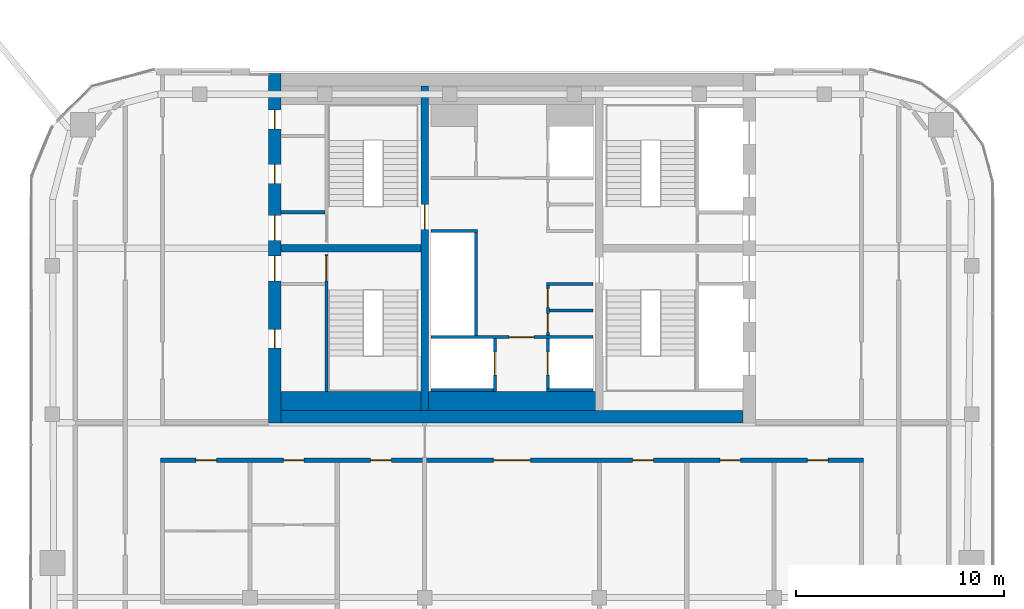
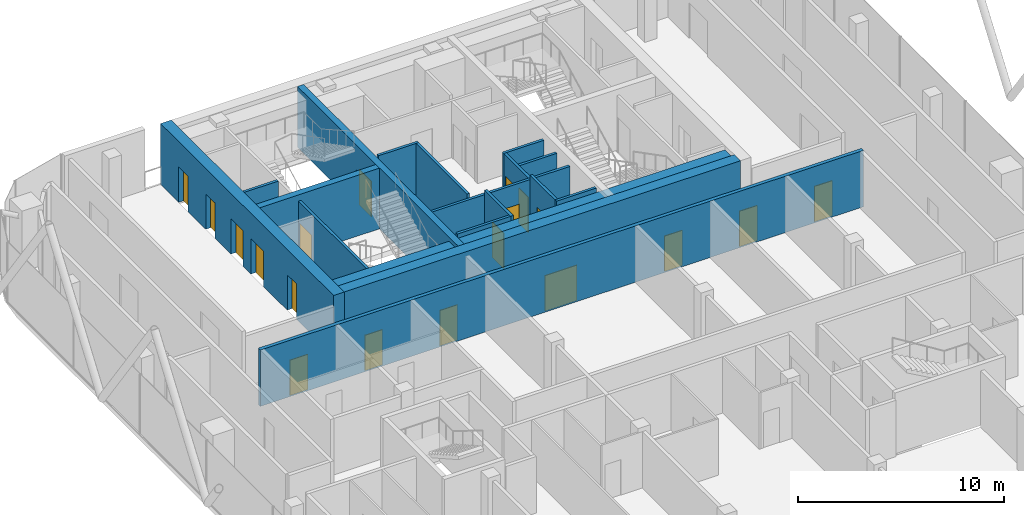
# One storey, part 23 of 27: 19 doors, 18 walls, 19 openings.
"""IFC4 building model written with IfcOpenShell, lengths in metres."""

from ifc_helpers import new_model, si_unit, direction, frame, frame_2d, origin, place, context, subcontext, project, spatial, rectangle, extrude, material, layer, layer_set, type_object, element, fill, save


model = new_model("IFC4")

# Units and contexts
model_context = context("Model", 3, precision=1e-05, world=origin(), true_north=direction((0.0, 1.0)))
body_context = subcontext(model_context, "Body", "Model", "MODEL_VIEW")
ifc_project = project(units=[si_unit("LENGTHUNIT", "METRE"), si_unit("AREAUNIT", "SQUARE_METRE"), si_unit("VOLUMEUNIT", "CUBIC_METRE"), si_unit("PLANEANGLEUNIT", "RADIAN"), si_unit("MASSUNIT", "GRAM", prefix="KILO")], contexts=[model_context])

# Site, building, storey
site_placement = place(None, origin())
site = spatial("IfcSite", under=ifc_project, at=site_placement, CompositionType="ELEMENT")
building_placement = place(site_placement, origin())
building = spatial("IfcBuilding", under=site, at=building_placement, Name="Marenta Gate Hotel Tower", CompositionType="ELEMENT")
storey_placement = place(building_placement, frame((0.0, 0.0, 270.5)))
storey = spatial("IfcBuildingStorey", under=building, at=storey_placement, Name="L62", CompositionType="ELEMENT", Elevation=270.5)

# Wall
ifc_material_1 = material(Name="Concrete C40", Category="concrete")
ifc_layer_1 = layer(ifc_material_1, 0.89990234375)
ifc_layer_set_1 = layer_set([ifc_layer_1], Name="Concrete C40")
wall_type_1 = type_object("IfcWallType", Name="Core lining wall 900 REI 180", PredefinedType="PARTITIONING", material=ifc_layer_set_1)
wall_1_placement = place(storey_placement, frame((-11.10009765625, 1.050048828125, 0.0), z_axis=(0.0, 0.0, 1.0), x_axis=(1.0, 0.0, 0.0)))
element("IfcWall", 1, at=wall_1_placement, inside=storey, type_object=wall_type_1, Name="L62-CP-LN-S", PredefinedType="PARTITIONING", context=body_context, shape_type="SweptSolid", body=[
    extrude(rectangle(XDim=22.2001953125, YDim=0.89990234375, at=frame_2d((11.10009765625, 0.0))), origin(), (0.0, 0.0, 1.0), 3.340087890625),
])

# Wall, opening, door
ifc_material_2 = material(Name="Concrete blockwork", Category="masonry")
ifc_layer_2 = layer(ifc_material_2, 0.14990234375)
ifc_layer_set_2 = layer_set([ifc_layer_2], Name="Concrete blockwork")
wall_type_2 = type_object("IfcWallType", Name="Core lobby partition 150 REI 180", PredefinedType="PARTITIONING", material=ifc_layer_set_2)
wall_2_placement = place(storey_placement, frame((-3.89990234375, 4.125, 0.0), z_axis=(0.0, 0.0, 1.0), x_axis=(1.0, 0.0, 0.0)))
wall_2 = element("IfcWall", 2, at=wall_2_placement, inside=storey, type_object=wall_type_2, Name="L62-CP-CW-S", PredefinedType="PARTITIONING", context=body_context, shape_type="SweptSolid", body=[
    extrude(rectangle(XDim=7.7998046875, YDim=0.14990234375, at=frame_2d((3.89990234375, 0.0))), origin(), (0.0, 0.0, 1.0), 3.340087890625),
])
opening_1_placement = place(wall_2_placement, frame((3.75, 0.0, 0.0)))
opening_1 = element("IfcOpeningElement", 3, at=opening_1_placement, cuts=wall_2, Name="Opening FD-FFS", PredefinedType="OPENING", context=body_context, shape_type="SweptSolid", body=[
    extrude(rectangle(XDim=1.199951171875, YDim=2.10009765625, at=frame_2d((0.60009765625, 1.050048828125))), frame((0.0, 0.074951171875, 0.0), z_axis=(0.0, -1.0, 0.0), x_axis=(1.0, 0.0, 0.0)), (0.0, 0.0, 1.0), 0.14990234375),
])
ifc_material_3 = material(Name="Steel", Category="steel")
door_type_1 = type_object("IfcDoorType", Name="Core lobby door 1200x2100 FD60", OperationType="SINGLE_SWING_LEFT", PredefinedType="DOOR", material=ifc_material_3)
door_1_placement = place(opening_1_placement, origin())
door_1 = element("IfcDoor", 4, at=door_1_placement, inside=storey, type_object=door_type_1, Name="FD-FFS", OperationType="SINGLE_SWING_LEFT", OverallHeight=2.10009765625, OverallWidth=1.199951171875, PredefinedType="DOOR", context=body_context, shape_type="SweptSolid", body=[
    extrude(rectangle(XDim=1.199951171875, YDim=2.10009765625, at=frame_2d((0.60009765625, 1.050048828125))), frame((0.0, 0.02490234375, 0.0), z_axis=(0.0, -1.0, 0.0), x_axis=(1.0, 0.0, 0.0)), (0.0, 0.0, 1.0), 0.050048828125),
])
fill(opening_1, door_1)

# Walls
ifc_material_4 = material(Name="Concrete blockwork", Category="masonry")
ifc_layer_3 = layer(ifc_material_4, 0.14990234375)
ifc_layer_set_3 = layer_set([ifc_layer_3], Name="Concrete blockwork")
wall_type_3 = type_object("IfcWallType", Name="Core room partition 150 REI 180", PredefinedType="PARTITIONING", material=ifc_layer_set_3)
wall_3_placement = place(storey_placement, frame((-11.10009765625, 10.125, 0.0), z_axis=(0.0, 0.0, 1.0), x_axis=(1.0, 0.0, 0.0)))
element("IfcWall", 5, at=wall_3_placement, inside=storey, type_object=wall_type_3, Name="L62-CP-SW-WN-2", PredefinedType="PARTITIONING", context=body_context, shape_type="SweptSolid", body=[
    extrude(rectangle(XDim=2.10009765625, YDim=0.14990234375, at=frame_2d((1.050048828125, 0.0))), origin(), (0.0, 0.0, 1.0), 3.340087890625),
])
wall_4_placement = place(storey_placement, frame((1.64990234375, 6.675048828125, 0.0), z_axis=(0.0, 0.0, 1.0), x_axis=(1.0, 0.0, 0.0)))
element("IfcWall", 6, at=wall_4_placement, inside=storey, type_object=wall_type_3, Name="L62-CP-CE-sep1", PredefinedType="PARTITIONING", context=body_context, shape_type="SweptSolid", body=[
    extrude(rectangle(XDim=2.25, YDim=0.14990234375, at=frame_2d((1.125, 0.0))), origin(), (0.0, 0.0, 1.0), 3.340087890625),
])

# Wall, openings, doors
wall_5_placement = place(storey_placement, frame((1.72509765625, 4.199951171875, 0.0), z_axis=(0.0, 0.0, 1.0), x_axis=(0.0, 1.0, 0.0)))
wall_5 = element("IfcWall", 7, at=wall_5_placement, inside=storey, type_object=wall_type_3, Name="L62-CP-CE-front-1", PredefinedType="PARTITIONING", context=body_context, shape_type="SweptSolid", body=[
    extrude(rectangle(XDim=2.400146484375, YDim=0.14990234375, at=frame_2d((1.2001953125, 0.0))), origin(), (0.0, 0.0, 1.0), 3.340087890625),
])
opening_2_placement = place(wall_5_placement, frame((0.14990234375, 0.0, 0.0)))
opening_2 = element("IfcOpeningElement", 8, at=opening_2_placement, cuts=wall_5, Name="Opening RD-CE-1a", PredefinedType="OPENING", context=body_context, shape_type="SweptSolid", body=[
    extrude(rectangle(XDim=0.89990234375, YDim=2.10009765625, at=frame_2d((0.449951171875, 1.050048828125))), frame((0.0, 0.074951171875, 0.0), z_axis=(0.0, -1.0, 0.0), x_axis=(1.0, 0.0, 0.0)), (0.0, 0.0, 1.0), 0.14990234375),
])
opening_3_placement = place(wall_5_placement, frame((1.35009765625, 0.0, 0.0)))
opening_3 = element("IfcOpeningElement", 9, at=opening_3_placement, cuts=wall_5, Name="Opening RD-CE-1b-B", PredefinedType="OPENING", context=body_context, shape_type="SweptSolid", body=[
    extrude(rectangle(XDim=0.89990234375, YDim=2.10009765625, at=frame_2d((0.449951171875, 1.050048828125))), frame((0.0, 0.074951171875, 0.0), z_axis=(0.0, -1.0, 0.0), x_axis=(1.0, 0.0, 0.0)), (0.0, 0.0, 1.0), 0.14990234375),
])
ifc_material_5 = material(Name="Steel", Category="steel")
door_type_2 = type_object("IfcDoorType", Name="Core service room door 900x2100 FD30S", OperationType="SINGLE_SWING_LEFT", PredefinedType="DOOR", material=ifc_material_5)
door_2_placement = place(opening_2_placement, origin())
door_2 = element("IfcDoor", 10, at=door_2_placement, inside=storey, type_object=door_type_2, Name="RD-CE-1a", OperationType="SINGLE_SWING_LEFT", OverallHeight=2.10009765625, OverallWidth=0.89990234375, PredefinedType="DOOR", context=body_context, shape_type="SweptSolid", body=[
    extrude(rectangle(XDim=0.89990234375, YDim=2.10009765625, at=frame_2d((0.449951171875, 1.050048828125))), frame((0.0, 0.02490234375, 0.0), z_axis=(0.0, -1.0, 0.0), x_axis=(1.0, 0.0, 0.0)), (0.0, 0.0, 1.0), 0.050048828125),
])
fill(opening_2, door_2)
door_3_placement = place(opening_3_placement, origin())
door_3 = element("IfcDoor", 11, at=door_3_placement, inside=storey, type_object=door_type_2, Name="RD-CE-1b-B", OperationType="SINGLE_SWING_LEFT", OverallHeight=2.10009765625, OverallWidth=0.89990234375, PredefinedType="DOOR", context=body_context, shape_type="SweptSolid", body=[
    extrude(rectangle(XDim=0.89990234375, YDim=2.10009765625, at=frame_2d((0.449951171875, 1.050048828125))), frame((0.0, 0.02490234375, 0.0), z_axis=(0.0, -1.0, 0.0), x_axis=(1.0, 0.0, 0.0)), (0.0, 0.0, 1.0), 0.050048828125),
])
fill(opening_3, door_3)

# Wall
wall_6_placement = place(storey_placement, frame((1.800048828125, 5.39990234375, 0.0), z_axis=(0.0, 0.0, 1.0), x_axis=(1.0, 0.0, 0.0)))
element("IfcWall", 12, at=wall_6_placement, inside=storey, type_object=wall_type_3, Name="L62-CP-CE-RW-1", PredefinedType="PARTITIONING", context=body_context, shape_type="SweptSolid", body=[
    extrude(rectangle(XDim=2.099853515625, YDim=0.14990234375, at=frame_2d((1.0498046875, 0.0))), origin(), (0.0, 0.0, 1.0), 3.340087890625),
])

# Wall, opening, door
ifc_material_6 = material(Name="Concrete C40", Category="concrete")
ifc_layer_4 = layer(ifc_material_6, 0.14990234375)
ifc_layer_set_4 = layer_set([ifc_layer_4], Name="Concrete C40")
wall_type_4 = type_object("IfcWallType", Name="Core shaft wall 150 REI 180", PredefinedType="SHEAR", material=ifc_layer_set_4)
wall_7_placement = place(storey_placement, frame((-0.824951171875, 1.5, 0.0), z_axis=(0.0, 0.0, 1.0), x_axis=(0.0, 1.0, 0.0)))
wall_7 = element("IfcWall", 13, at=wall_7_placement, inside=storey, type_object=wall_type_4, Name="L62-SHF-CW-W-ff", PredefinedType="SHEAR", context=body_context, shape_type="SweptSolid", body=[
    extrude(rectangle(XDim=2.550048828125, YDim=0.14990234375, at=frame_2d((1.27490234375, 0.0))), origin(), (0.0, 0.0, 1.0), 3.60009765625),
])
opening_4_placement = place(wall_7_placement, frame((0.800048828125, 0.0, 0.0)))
opening_4 = element("IfcOpeningElement", 14, at=opening_4_placement, cuts=wall_7, Name="Opening LD-FF1", PredefinedType="OPENING", context=body_context, shape_type="SweptSolid", body=[
    extrude(rectangle(XDim=1.10009765625, YDim=2.10009765625, at=frame_2d((0.550048828125, 1.050048828125))), frame((0.0, 0.074951171875, 0.0), z_axis=(0.0, -1.0, 0.0), x_axis=(1.0, 0.0, 0.0)), (0.0, 0.0, 1.0), 0.14990234375),
])
ifc_material_7 = material(Name="Steel", Category="steel")
door_type_3 = type_object("IfcDoorType", Name="Core lift landing door 1100x2100 E 60", OperationType="SLIDING_TO_LEFT", PredefinedType="DOOR", material=ifc_material_7)
door_4_placement = place(opening_4_placement, origin())
door_4 = element("IfcDoor", 15, at=door_4_placement, inside=storey, type_object=door_type_3, Name="LD-FF1", OperationType="SLIDING_TO_LEFT", OverallHeight=2.10009765625, OverallWidth=1.10009765625, PredefinedType="DOOR", context=body_context, shape_type="SweptSolid", body=[
    extrude(rectangle(XDim=1.10009765625, YDim=2.10009765625, at=frame_2d((0.550048828125, 1.050048828125))), frame((0.0, 0.02490234375, 0.0), z_axis=(0.0, -1.0, 0.0), x_axis=(1.0, 0.0, 0.0)), (0.0, 0.0, 1.0), 0.050048828125),
])
fill(opening_4, door_4)

# Walls
wall_8_placement = place(storey_placement, frame((-3.89990234375, 1.574951171875, 0.0), z_axis=(0.0, 0.0, 1.0), x_axis=(1.0, 0.0, 0.0)))
element("IfcWall", 16, at=wall_8_placement, inside=storey, type_object=wall_type_4, Name="L62-SHF-CW-W-ffs", PredefinedType="SHEAR", context=body_context, shape_type="SweptSolid", body=[
    extrude(rectangle(XDim=3.0, YDim=0.14990234375, at=frame_2d((1.5, 0.0))), origin(), (0.0, 0.0, 1.0), 3.60009765625),
])
wall_9_placement = place(storey_placement, frame((-1.72509765625, 4.199951171875, 0.0), z_axis=(0.0, 0.0, 1.0), x_axis=(0.0, 1.0, 0.0)))
element("IfcWall", 17, at=wall_9_placement, inside=storey, type_object=wall_type_4, Name="L62-SHF-CW-W-front", PredefinedType="SHEAR", context=body_context, shape_type="SweptSolid", body=[
    extrude(rectangle(XDim=4.949951171875, YDim=0.14990234375, at=frame_2d((2.47509765625, 0.0))), origin(), (0.0, 0.0, 1.0), 3.60009765625),
])
wall_10_placement = place(storey_placement, frame((-3.89990234375, 9.22509765625, 0.0), z_axis=(0.0, 0.0, 1.0), x_axis=(1.0, 0.0, 0.0)))
element("IfcWall", 18, at=wall_10_placement, inside=storey, type_object=wall_type_4, Name="L62-SHF-CW-W-sep", PredefinedType="SHEAR", context=body_context, shape_type="SweptSolid", body=[
    extrude(rectangle(XDim=2.25, YDim=0.14990234375, at=frame_2d((1.125, 0.0))), origin(), (0.0, 0.0, 1.0), 3.60009765625),
])

# Wall, opening, door
wall_11_placement = place(storey_placement, frame((1.72509765625, 1.64990234375, 0.0), z_axis=(0.0, 0.0, 1.0), x_axis=(0.0, 1.0, 0.0)))
wall_11 = element("IfcWall", 19, at=wall_11_placement, inside=storey, type_object=wall_type_4, Name="L62-SHF-CE-S-ls", PredefinedType="SHEAR", context=body_context, shape_type="SweptSolid", body=[
    extrude(rectangle(XDim=2.400146484375, YDim=0.14990234375, at=frame_2d((1.2001953125, 0.0))), origin(), (0.0, 0.0, 1.0), 3.60009765625),
])
opening_5_placement = place(wall_11_placement, frame((0.64990234375, 0.0, 0.0)))
opening_5 = element("IfcOpeningElement", 20, at=opening_5_placement, cuts=wall_11, Name="Opening LD-SV1", PredefinedType="OPENING", context=body_context, shape_type="SweptSolid", body=[
    extrude(rectangle(XDim=1.10009765625, YDim=2.10009765625, at=frame_2d((0.550048828125, 1.050048828125))), frame((0.0, 0.074951171875, 0.0), z_axis=(0.0, -1.0, 0.0), x_axis=(1.0, 0.0, 0.0)), (0.0, 0.0, 1.0), 0.14990234375),
])
door_5_placement = place(opening_5_placement, origin())
door_5 = element("IfcDoor", 21, at=door_5_placement, inside=storey, type_object=door_type_3, Name="LD-SV1", OperationType="SLIDING_TO_LEFT", OverallHeight=2.10009765625, OverallWidth=1.10009765625, PredefinedType="DOOR", context=body_context, shape_type="SweptSolid", body=[
    extrude(rectangle(XDim=1.10009765625, YDim=2.10009765625, at=frame_2d((0.550048828125, 1.050048828125))), frame((0.0, 0.02490234375, 0.0), z_axis=(0.0, -1.0, 0.0), x_axis=(1.0, 0.0, 0.0)), (0.0, 0.0, 1.0), 0.050048828125),
])
fill(opening_5, door_5)

# Wall
wall_12_placement = place(storey_placement, frame((1.64990234375, 1.574951171875, 0.0), z_axis=(0.0, 0.0, 1.0), x_axis=(1.0, 0.0, 0.0)))
element("IfcWall", 22, at=wall_12_placement, inside=storey, type_object=wall_type_4, Name="L62-SHF-CE-S-bot", PredefinedType="SHEAR", context=body_context, shape_type="SweptSolid", body=[
    extrude(rectangle(XDim=2.25, YDim=0.14990234375, at=frame_2d((1.125, 0.0))), origin(), (0.0, 0.0, 1.0), 3.60009765625),
])

# Wall, opening, door
ifc_material_8 = material(Name="Concrete C40", Category="concrete")
ifc_layer_5 = layer(ifc_material_8, 0.14990234375)
ifc_layer_set_5 = layer_set([ifc_layer_5], Name="Concrete C40")
wall_type_5 = type_object("IfcWallType", Name="Core stair enclosure wall 150 REI 180", PredefinedType="SHEAR", material=ifc_layer_set_5)
wall_13_placement = place(storey_placement, frame((-8.925048828125, 1.5, 0.0), z_axis=(0.0, 0.0, 1.0), x_axis=(0.0, 1.0, 0.0)))
wall_13 = element("IfcWall", 23, at=wall_13_placement, inside=storey, type_object=wall_type_5, Name="L62-SHF-SW-WS-3", PredefinedType="SHEAR", context=body_context, shape_type="SweptSolid", body=[
    extrude(rectangle(XDim=6.60009765625, YDim=0.14990234375, at=frame_2d((3.300048828125, 0.0))), origin(), (0.0, 0.0, 1.0), 3.340087890625),
])
opening_6_placement = place(wall_13_placement, frame((5.324951171875, 0.0, 0.0)))
opening_6 = element("IfcOpeningElement", 24, at=opening_6_placement, cuts=wall_13, Name="Opening SD-WS", PredefinedType="OPENING", context=body_context, shape_type="SweptSolid", body=[
    extrude(rectangle(XDim=1.199951171875, YDim=2.10009765625, at=frame_2d((0.60009765625, 1.050048828125))), frame((0.0, 0.074951171875, 0.0), z_axis=(0.0, -1.0, 0.0), x_axis=(1.0, 0.0, 0.0)), (0.0, 0.0, 1.0), 0.14990234375),
])
ifc_material_9 = material(Name="Steel", Category="steel")
door_type_4 = type_object("IfcDoorType", Name="Core stair door 1200x2100 FD60", OperationType="SINGLE_SWING_LEFT", PredefinedType="DOOR", material=ifc_material_9)
door_6_placement = place(opening_6_placement, origin())
door_6 = element("IfcDoor", 25, at=door_6_placement, inside=storey, type_object=door_type_4, Name="SD-WS", OperationType="SINGLE_SWING_LEFT", OverallHeight=2.10009765625, OverallWidth=1.199951171875, PredefinedType="DOOR", context=body_context, shape_type="SweptSolid", body=[
    extrude(rectangle(XDim=1.199951171875, YDim=2.10009765625, at=frame_2d((0.60009765625, 1.050048828125))), frame((0.0, 0.02490234375, 0.0), z_axis=(0.0, -1.0, 0.0), x_axis=(1.0, 0.0, 0.0)), (0.0, 0.0, 1.0), 0.050048828125),
])
fill(opening_6, door_6)

# Wall, openings, doors
ifc_material_10 = material(Name="Concrete C50", Category="concrete")
ifc_layer_6 = layer(ifc_material_10, 0.60009765625)
ifc_layer_set_6 = layer_set([ifc_layer_6], Name="Concrete C50")
wall_type_6 = type_object("IfcWallType", Name="Core wall 600 C50", PredefinedType="SHEAR", material=ifc_layer_set_6)
wall_14_placement = place(storey_placement, frame((-11.39990234375, 0.0, 0.0), z_axis=(0.0, 0.0, 1.0), x_axis=(0.0, 1.0, 0.0)))
wall_14 = element("IfcWall", 26, at=wall_14_placement, inside=storey, type_object=wall_type_6, Name="L62-CORE-W", PredefinedType="SHEAR", context=body_context, shape_type="SweptSolid", body=[
    extrude(rectangle(XDim=16.800048828125, YDim=0.60009765625, at=frame_2d((8.39990234375, 0.0))), origin(), (0.0, 0.0, 1.0), 3.60009765625),
])
opening_7_placement = place(wall_14_placement, frame((3.60009765625, 0.0, 0.0)))
opening_7 = element("IfcOpeningElement", 27, at=opening_7_placement, cuts=wall_14, Name="Opening RD-WS-1", PredefinedType="OPENING", context=body_context, shape_type="SweptSolid", body=[
    extrude(rectangle(XDim=0.89990234375, YDim=2.10009765625, at=frame_2d((0.449951171875, 1.050048828125))), frame((0.0, 0.300048828125, 0.0), z_axis=(0.0, -1.0, 0.0), x_axis=(1.0, 0.0, 0.0)), (0.0, 0.0, 1.0), 0.60009765625),
])
opening_8_placement = place(wall_14_placement, frame((6.824951171875, 0.0, 0.0)))
opening_8 = element("IfcOpeningElement", 28, at=opening_8_placement, cuts=wall_14, Name="Opening PD-WS", PredefinedType="OPENING", context=body_context, shape_type="SweptSolid", body=[
    extrude(rectangle(XDim=1.199951171875, YDim=2.10009765625, at=frame_2d((0.60009765625, 1.050048828125))), frame((0.0, 0.300048828125, 0.0), z_axis=(0.0, -1.0, 0.0), x_axis=(1.0, 0.0, 0.0)), (0.0, 0.0, 1.0), 0.60009765625),
])
opening_9_placement = place(wall_14_placement, frame((14.137451171875, 0.0, 0.0)))
opening_9 = element("IfcOpeningElement", 29, at=opening_9_placement, cuts=wall_14, Name="Opening RD-WN-1", PredefinedType="OPENING", context=body_context, shape_type="SweptSolid", body=[
    extrude(rectangle(XDim=0.89990234375, YDim=2.10009765625, at=frame_2d((0.449951171875, 1.050048828125))), frame((0.0, 0.300048828125, 0.0), z_axis=(0.0, -1.0, 0.0), x_axis=(1.0, 0.0, 0.0)), (0.0, 0.0, 1.0), 0.60009765625),
])
opening_10_placement = place(wall_14_placement, frame((11.512451171875, 0.0, 0.0)))
opening_10 = element("IfcOpeningElement", 30, at=opening_10_placement, cuts=wall_14, Name="Opening RD-WN-2", PredefinedType="OPENING", context=body_context, shape_type="SweptSolid", body=[
    extrude(rectangle(XDim=0.89990234375, YDim=2.10009765625, at=frame_2d((0.449951171875, 1.050048828125))), frame((0.0, 0.300048828125, 0.0), z_axis=(0.0, -1.0, 0.0), x_axis=(1.0, 0.0, 0.0)), (0.0, 0.0, 1.0), 0.60009765625),
])
opening_11_placement = place(wall_14_placement, frame((8.77490234375, 0.0, 0.0)))
opening_11 = element("IfcOpeningElement", 31, at=opening_11_placement, cuts=wall_14, Name="Opening PD-WN", PredefinedType="OPENING", context=body_context, shape_type="SweptSolid", body=[
    extrude(rectangle(XDim=1.199951171875, YDim=2.10009765625, at=frame_2d((0.60009765625, 1.050048828125))), frame((0.0, 0.300048828125, 0.0), z_axis=(0.0, -1.0, 0.0), x_axis=(1.0, 0.0, 0.0)), (0.0, 0.0, 1.0), 0.60009765625),
])
door_7_placement = place(opening_8_placement, origin())
door_7 = element("IfcDoor", 32, at=door_7_placement, inside=storey, type_object=door_type_1, Name="PD-WS", OperationType="SINGLE_SWING_LEFT", OverallHeight=2.10009765625, OverallWidth=1.199951171875, PredefinedType="DOOR", context=body_context, shape_type="SweptSolid", body=[
    extrude(rectangle(XDim=1.199951171875, YDim=2.10009765625, at=frame_2d((0.60009765625, 1.050048828125))), frame((0.0, 0.02490234375, 0.0), z_axis=(0.0, -1.0, 0.0), x_axis=(1.0, 0.0, 0.0)), (0.0, 0.0, 1.0), 0.050048828125),
])
fill(opening_8, door_7)
door_8_placement = place(opening_11_placement, origin())
door_8 = element("IfcDoor", 33, at=door_8_placement, inside=storey, type_object=door_type_1, Name="PD-WN", OperationType="SINGLE_SWING_LEFT", OverallHeight=2.10009765625, OverallWidth=1.199951171875, PredefinedType="DOOR", context=body_context, shape_type="SweptSolid", body=[
    extrude(rectangle(XDim=1.199951171875, YDim=2.10009765625, at=frame_2d((0.60009765625, 1.050048828125))), frame((0.0, 0.02490234375, 0.0), z_axis=(0.0, -1.0, 0.0), x_axis=(1.0, 0.0, 0.0)), (0.0, 0.0, 1.0), 0.050048828125),
])
fill(opening_11, door_8)
door_9_placement = place(opening_7_placement, origin())
door_9 = element("IfcDoor", 34, at=door_9_placement, inside=storey, type_object=door_type_2, Name="RD-WS-1", OperationType="SINGLE_SWING_LEFT", OverallHeight=2.10009765625, OverallWidth=0.89990234375, PredefinedType="DOOR", context=body_context, shape_type="SweptSolid", body=[
    extrude(rectangle(XDim=0.89990234375, YDim=2.10009765625, at=frame_2d((0.449951171875, 1.050048828125))), frame((0.0, 0.02490234375, 0.0), z_axis=(0.0, -1.0, 0.0), x_axis=(1.0, 0.0, 0.0)), (0.0, 0.0, 1.0), 0.050048828125),
])
fill(opening_7, door_9)
door_10_placement = place(opening_9_placement, origin())
door_10 = element("IfcDoor", 35, at=door_10_placement, inside=storey, type_object=door_type_2, Name="RD-WN-1", OperationType="SINGLE_SWING_LEFT", OverallHeight=2.10009765625, OverallWidth=0.89990234375, PredefinedType="DOOR", context=body_context, shape_type="SweptSolid", body=[
    extrude(rectangle(XDim=0.89990234375, YDim=2.10009765625, at=frame_2d((0.449951171875, 1.050048828125))), frame((0.0, 0.02490234375, 0.0), z_axis=(0.0, -1.0, 0.0), x_axis=(1.0, 0.0, 0.0)), (0.0, 0.0, 1.0), 0.050048828125),
])
fill(opening_9, door_10)
door_11_placement = place(opening_10_placement, origin())
door_11 = element("IfcDoor", 36, at=door_11_placement, inside=storey, type_object=door_type_2, Name="RD-WN-2", OperationType="SINGLE_SWING_LEFT", OverallHeight=2.10009765625, OverallWidth=0.89990234375, PredefinedType="DOOR", context=body_context, shape_type="SweptSolid", body=[
    extrude(rectangle(XDim=0.89990234375, YDim=2.10009765625, at=frame_2d((0.449951171875, 1.050048828125))), frame((0.0, 0.02490234375, 0.0), z_axis=(0.0, -1.0, 0.0), x_axis=(1.0, 0.0, 0.0)), (0.0, 0.0, 1.0), 0.050048828125),
])
fill(opening_10, door_11)

# Wall
wall_15_placement = place(storey_placement, frame((-11.10009765625, 0.300048828125, 0.0), z_axis=(0.0, 0.0, 1.0), x_axis=(1.0, 0.0, 0.0)))
element("IfcWall", 37, at=wall_15_placement, inside=storey, type_object=wall_type_6, Name="L62-CORE-S", PredefinedType="SHEAR", context=body_context, shape_type="SweptSolid", body=[
    extrude(rectangle(XDim=22.2001953125, YDim=0.60009765625, at=frame_2d((11.10009765625, 0.0))), origin(), (0.0, 0.0, 1.0), 3.60009765625),
])

# Wall, opening, door
ifc_material_11 = material(Name="Concrete C50", Category="concrete")
ifc_layer_7 = layer(ifc_material_11, 0.35009765625)
ifc_layer_set_7 = layer_set([ifc_layer_7], Name="Concrete C50")
wall_type_7 = type_object("IfcWallType", Name="Core web 350 C50", PredefinedType="SHEAR", material=ifc_layer_set_7)
wall_16_placement = place(storey_placement, frame((-4.199951171875, 0.60009765625, 0.0), z_axis=(0.0, 0.0, 1.0), x_axis=(0.0, 1.0, 0.0)))
wall_16 = element("IfcWall", 38, at=wall_16_placement, inside=storey, type_object=wall_type_7, Name="L62-CORE-W1", PredefinedType="SHEAR", context=body_context, shape_type="SweptSolid", body=[
    extrude(rectangle(XDim=15.599853515625, YDim=0.35009765625, at=frame_2d((7.7998046875, 0.0))), origin(), (0.0, 0.0, 1.0), 3.60009765625),
])
opening_12_placement = place(wall_16_placement, frame((8.699951171875, 0.0, 0.0)))
opening_12 = element("IfcOpeningElement", 39, at=opening_12_placement, cuts=wall_16, Name="Opening WD-W", PredefinedType="OPENING", context=body_context, shape_type="SweptSolid", body=[
    extrude(rectangle(XDim=1.199951171875, YDim=2.10009765625, at=frame_2d((0.60009765625, 1.050048828125))), frame((0.0, 0.175048828125, 0.0), z_axis=(0.0, -1.0, 0.0), x_axis=(1.0, 0.0, 0.0)), (0.0, 0.0, 1.0), 0.35009765625),
])
door_12_placement = place(opening_12_placement, origin())
door_12 = element("IfcDoor", 40, at=door_12_placement, inside=storey, type_object=door_type_4, Name="WD-W", OperationType="SINGLE_SWING_LEFT", OverallHeight=2.10009765625, OverallWidth=1.199951171875, PredefinedType="DOOR", context=body_context, shape_type="SweptSolid", body=[
    extrude(rectangle(XDim=1.199951171875, YDim=2.10009765625, at=frame_2d((0.60009765625, 1.050048828125))), frame((0.0, 0.02490234375, 0.0), z_axis=(0.0, -1.0, 0.0), x_axis=(1.0, 0.0, 0.0)), (0.0, 0.0, 1.0), 0.050048828125),
])
fill(opening_12, door_12)

# Wall
wall_17_placement = place(storey_placement, frame((-11.10009765625, 8.39990234375, 0.0), z_axis=(0.0, 0.0, 1.0), x_axis=(1.0, 0.0, 0.0)))
element("IfcWall", 41, at=wall_17_placement, inside=storey, type_object=wall_type_7, Name="L62-CORE-W3", PredefinedType="SHEAR", context=body_context, shape_type="SweptSolid", body=[
    extrude(rectangle(XDim=6.72509765625, YDim=0.35009765625, at=frame_2d((3.362548828125, 0.0))), origin(), (0.0, 0.0, 1.0), 3.60009765625),
])

# Wall, openings, doors
ifc_material_12 = material(Name="Concrete blockwork", Category="masonry")
ifc_layer_8 = layer(ifc_material_12, 0.199951171875)
ifc_layer_set_8 = layer_set([ifc_layer_8], Name="Concrete blockwork")
wall_type_8 = type_object("IfcWallType", Name="Room corridor wall 200 EI 120", PredefinedType="PARTITIONING", material=ifc_layer_set_8)
wall_18_placement = place(storey_placement, frame((-16.89990234375, -1.800048828125, 0.0), z_axis=(0.0, 0.0, 1.0), x_axis=(1.0, 0.0, 0.0)))
wall_18 = element("IfcWall", 42, at=wall_18_placement, inside=storey, type_object=wall_type_8, Name="L62-PTN-W036", PredefinedType="PARTITIONING", context=body_context, shape_type="SweptSolid", body=[
    extrude(rectangle(XDim=33.7998046875, YDim=0.199951171875, at=frame_2d((16.89990234375, 0.0))), origin(), (0.0, 0.0, 1.0), 3.340087890625),
])
opening_13_placement = place(wall_18_placement, frame((1.699951171875, 0.0, 0.0)))
opening_13 = element("IfcOpeningElement", 43, at=opening_13_placement, cuts=wall_18, Name="Opening G23-01", PredefinedType="OPENING", context=body_context, shape_type="SweptSolid", body=[
    extrude(rectangle(XDim=1.0, YDim=2.10009765625, at=frame_2d((0.5, 1.050048828125))), frame((0.0, 0.10009765625, 0.0), z_axis=(0.0, -1.0, 0.0), x_axis=(1.0, 0.0, 0.0)), (0.0, 0.0, 1.0), 0.199951171875),
])
opening_14_placement = place(wall_18_placement, frame((5.89990234375, 0.0, 0.0)))
opening_14 = element("IfcOpeningElement", 44, at=opening_14_placement, cuts=wall_18, Name="Opening G23-03", PredefinedType="OPENING", context=body_context, shape_type="SweptSolid", body=[
    extrude(rectangle(XDim=1.0, YDim=2.10009765625, at=frame_2d((0.5, 1.050048828125))), frame((0.0, 0.10009765625, 0.0), z_axis=(0.0, -1.0, 0.0), x_axis=(1.0, 0.0, 0.0)), (0.0, 0.0, 1.0), 0.199951171875),
])
opening_15_placement = place(wall_18_placement, frame((10.10009765625, 0.0, 0.0)))
opening_15 = element("IfcOpeningElement", 45, at=opening_15_placement, cuts=wall_18, Name="Opening G23-05", PredefinedType="OPENING", context=body_context, shape_type="SweptSolid", body=[
    extrude(rectangle(XDim=1.0, YDim=2.10009765625, at=frame_2d((0.5, 1.050048828125))), frame((0.0, 0.10009765625, 0.0), z_axis=(0.0, -1.0, 0.0), x_axis=(1.0, 0.0, 0.0)), (0.0, 0.0, 1.0), 0.199951171875),
])
opening_16_placement = place(wall_18_placement, frame((16.0, 0.0, 0.0)))
opening_16 = element("IfcOpeningElement", 46, at=opening_16_placement, cuts=wall_18, Name="Opening G23-06", PredefinedType="OPENING", context=body_context, shape_type="SweptSolid", body=[
    extrude(rectangle(XDim=1.800048828125, YDim=2.10009765625, at=frame_2d((0.89990234375, 1.050048828125))), frame((0.0, 0.10009765625, 0.0), z_axis=(0.0, -1.0, 0.0), x_axis=(1.0, 0.0, 0.0)), (0.0, 0.0, 1.0), 0.199951171875),
])
opening_17_placement = place(wall_18_placement, frame((22.699951171875, 0.0, 0.0)))
opening_17 = element("IfcOpeningElement", 47, at=opening_17_placement, cuts=wall_18, Name="Opening G23-07", PredefinedType="OPENING", context=body_context, shape_type="SweptSolid", body=[
    extrude(rectangle(XDim=1.0, YDim=2.10009765625, at=frame_2d((0.5, 1.050048828125))), frame((0.0, 0.10009765625, 0.0), z_axis=(0.0, -1.0, 0.0), x_axis=(1.0, 0.0, 0.0)), (0.0, 0.0, 1.0), 0.199951171875),
])
opening_18_placement = place(wall_18_placement, frame((26.89990234375, 0.0, 0.0)))
opening_18 = element("IfcOpeningElement", 48, at=opening_18_placement, cuts=wall_18, Name="Opening G23-08", PredefinedType="OPENING", context=body_context, shape_type="SweptSolid", body=[
    extrude(rectangle(XDim=1.0, YDim=2.10009765625, at=frame_2d((0.5, 1.050048828125))), frame((0.0, 0.10009765625, 0.0), z_axis=(0.0, -1.0, 0.0), x_axis=(1.0, 0.0, 0.0)), (0.0, 0.0, 1.0), 0.199951171875),
])
opening_19_placement = place(wall_18_placement, frame((31.10009765625, 0.0, 0.0)))
opening_19 = element("IfcOpeningElement", 49, at=opening_19_placement, cuts=wall_18, Name="Opening G23-09", PredefinedType="OPENING", context=body_context, shape_type="SweptSolid", body=[
    extrude(rectangle(XDim=1.0, YDim=2.10009765625, at=frame_2d((0.5, 1.050048828125))), frame((0.0, 0.10009765625, 0.0), z_axis=(0.0, -1.0, 0.0), x_axis=(1.0, 0.0, 0.0)), (0.0, 0.0, 1.0), 0.199951171875),
])
ifc_material_13 = material(Name="Timber door leaf", Category="wood")
door_type_5 = type_object("IfcDoorType", Name="Room amenity door 1000x2100 EI 60", OperationType="NOTDEFINED", PredefinedType="DOOR", material=ifc_material_13)
door_13_placement = place(opening_15_placement, origin())
door_13 = element("IfcDoor", 50, at=door_13_placement, inside=storey, type_object=door_type_5, Name="L62-PD-D005", OperationType="SINGLE_SWING_RIGHT", OverallHeight=2.10009765625, OverallWidth=1.0, PredefinedType="DOOR", context=body_context, shape_type="SweptSolid", body=[
    extrude(rectangle(XDim=1.0, YDim=2.10009765625, at=frame_2d((0.5, 1.050048828125))), frame((0.0, 0.02490234375, 0.0), z_axis=(0.0, -1.0, 0.0), x_axis=(1.0, 0.0, 0.0)), (0.0, 0.0, 1.0), 0.050048828125),
])
fill(opening_15, door_13)
door_14_placement = place(opening_17_placement, origin())
door_14 = element("IfcDoor", 51, at=door_14_placement, inside=storey, type_object=door_type_5, Name="L62-PD-D007", OperationType="SINGLE_SWING_RIGHT", OverallHeight=2.10009765625, OverallWidth=1.0, PredefinedType="DOOR", context=body_context, shape_type="SweptSolid", body=[
    extrude(rectangle(XDim=1.0, YDim=2.10009765625, at=frame_2d((0.5, 1.050048828125))), frame((0.0, 0.02490234375, 0.0), z_axis=(0.0, -1.0, 0.0), x_axis=(1.0, 0.0, 0.0)), (0.0, 0.0, 1.0), 0.050048828125),
])
fill(opening_17, door_14)
door_15_placement = place(opening_18_placement, origin())
door_15 = element("IfcDoor", 52, at=door_15_placement, inside=storey, type_object=door_type_5, Name="L62-PD-D008", OperationType="SINGLE_SWING_LEFT", OverallHeight=2.10009765625, OverallWidth=1.0, PredefinedType="DOOR", context=body_context, shape_type="SweptSolid", body=[
    extrude(rectangle(XDim=1.0, YDim=2.10009765625, at=frame_2d((0.5, 1.050048828125))), frame((0.0, 0.02490234375, 0.0), z_axis=(0.0, -1.0, 0.0), x_axis=(1.0, 0.0, 0.0)), (0.0, 0.0, 1.0), 0.050048828125),
])
fill(opening_18, door_15)
door_16_placement = place(opening_19_placement, origin())
door_16 = element("IfcDoor", 53, at=door_16_placement, inside=storey, type_object=door_type_5, Name="L62-PD-D009", OperationType="SINGLE_SWING_RIGHT", OverallHeight=2.10009765625, OverallWidth=1.0, PredefinedType="DOOR", context=body_context, shape_type="SweptSolid", body=[
    extrude(rectangle(XDim=1.0, YDim=2.10009765625, at=frame_2d((0.5, 1.050048828125))), frame((0.0, 0.02490234375, 0.0), z_axis=(0.0, -1.0, 0.0), x_axis=(1.0, 0.0, 0.0)), (0.0, 0.0, 1.0), 0.050048828125),
])
fill(opening_19, door_16)
ifc_material_14 = material(Name="Timber door leaf", Category="wood")
door_type_6 = type_object("IfcDoorType", Name="Room amenity door 1800x2100 EI 60", OperationType="DOUBLE_DOOR_SINGLE_SWING", PredefinedType="DOOR", material=ifc_material_14)
door_17_placement = place(opening_16_placement, origin())
door_17 = element("IfcDoor", 54, at=door_17_placement, inside=storey, type_object=door_type_6, Name="L62-PD-D006", OperationType="DOUBLE_DOOR_SINGLE_SWING", OverallHeight=2.10009765625, OverallWidth=1.800048828125, PredefinedType="DOOR", context=body_context, shape_type="SweptSolid", body=[
    extrude(rectangle(XDim=1.800048828125, YDim=2.10009765625, at=frame_2d((0.89990234375, 1.050048828125))), frame((0.0, 0.02490234375, 0.0), z_axis=(0.0, -1.0, 0.0), x_axis=(1.0, 0.0, 0.0)), (0.0, 0.0, 1.0), 0.050048828125),
])
fill(opening_16, door_17)
ifc_material_15 = material(Name="Hollow steel door set", Category="steel")
door_type_7 = type_object("IfcDoorType", Name="Room service door 1000x2100 EI 60", OperationType="NOTDEFINED", PredefinedType="DOOR", material=ifc_material_15)
door_18_placement = place(opening_13_placement, origin())
door_18 = element("IfcDoor", 55, at=door_18_placement, inside=storey, type_object=door_type_7, Name="L62-PD-D001", OperationType="SINGLE_SWING_LEFT", OverallHeight=2.10009765625, OverallWidth=1.0, PredefinedType="DOOR", context=body_context, shape_type="SweptSolid", body=[
    extrude(rectangle(XDim=1.0, YDim=2.10009765625, at=frame_2d((0.5, 1.050048828125))), frame((0.0, 0.02490234375, 0.0), z_axis=(0.0, -1.0, 0.0), x_axis=(1.0, 0.0, 0.0)), (0.0, 0.0, 1.0), 0.050048828125),
])
fill(opening_13, door_18)
door_19_placement = place(opening_14_placement, origin())
door_19 = element("IfcDoor", 56, at=door_19_placement, inside=storey, type_object=door_type_7, Name="L62-PD-D003", OperationType="SINGLE_SWING_LEFT", OverallHeight=2.10009765625, OverallWidth=1.0, PredefinedType="DOOR", context=body_context, shape_type="SweptSolid", body=[
    extrude(rectangle(XDim=1.0, YDim=2.10009765625, at=frame_2d((0.5, 1.050048828125))), frame((0.0, 0.02490234375, 0.0), z_axis=(0.0, -1.0, 0.0), x_axis=(1.0, 0.0, 0.0)), (0.0, 0.0, 1.0), 0.050048828125),
])
fill(opening_14, door_19)

save(model, "model.ifc")
